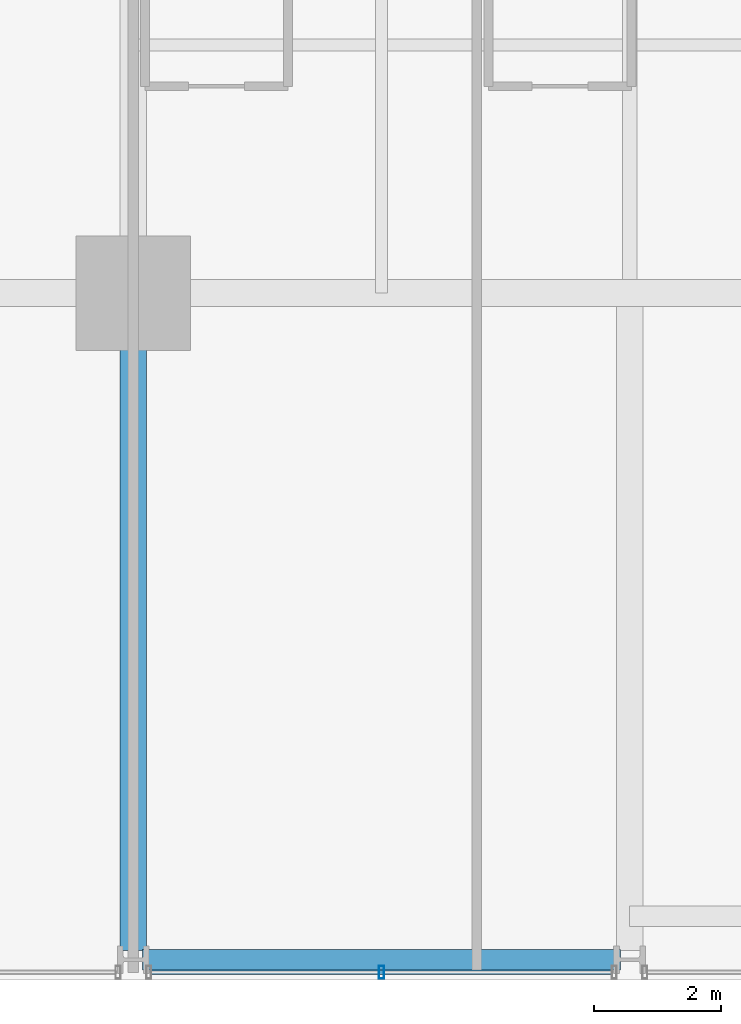
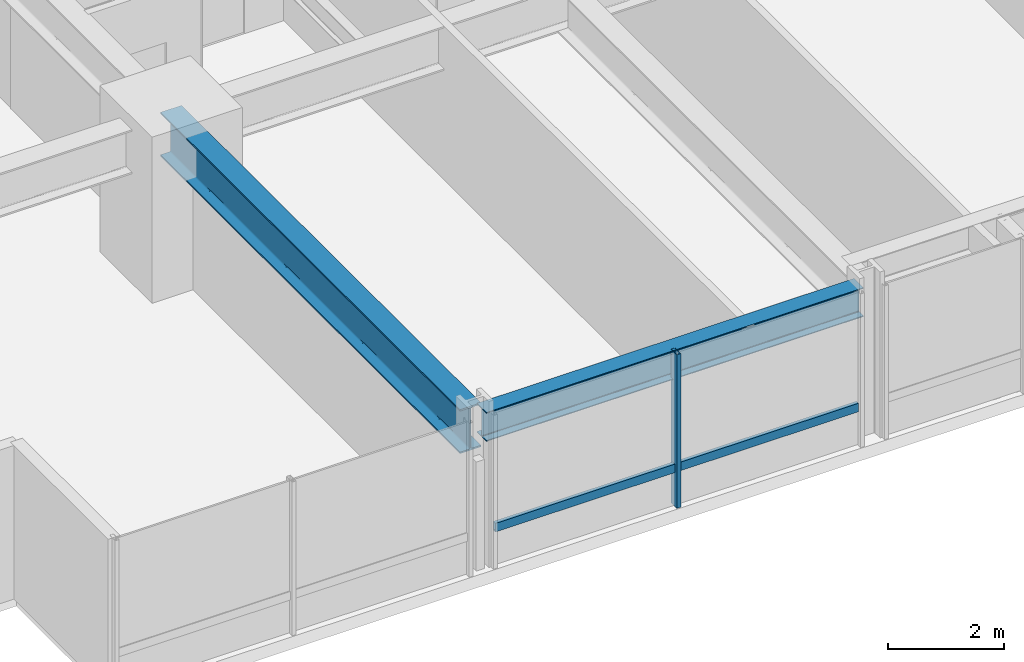
# One storey, part 3 of 39: 2 beams, 2 members, 1 element without a shape of its own.
"""IFC4 building model written with IfcOpenShell, lengths in metres."""

from ifc_helpers import new_model, si_unit, direction, frame, origin, origin_2d, place, context, subcontext, project, spatial, hollow_rectangle, i_section, extrude, material, layer, layer_set, material_profile, profile_set, type_object, element, aggregate, save


model = new_model("IFC4")

# Units and contexts
model_context = context("Model", 3, precision=1e-05, world=origin(), true_north=direction((0.0, 1.0)))
body_context = subcontext(model_context, "Body", "Model", "MODEL_VIEW")
ifc_project = project(units=[si_unit("LENGTHUNIT", "METRE"), si_unit("AREAUNIT", "SQUARE_METRE"), si_unit("VOLUMEUNIT", "CUBIC_METRE"), si_unit("PLANEANGLEUNIT", "RADIAN"), si_unit("MASSUNIT", "GRAM", prefix="KILO")], contexts=[model_context])

# Site, building, storey
site_placement = place(None, origin())
site = spatial("IfcSite", under=ifc_project, at=site_placement, CompositionType="ELEMENT")
building_placement = place(site_placement, origin())
building = spatial("IfcBuilding", under=site, at=building_placement, Name="Drelvath Grand Hotel", CompositionType="ELEMENT")
storey_placement = place(building_placement, frame((0.0, 0.0, 36.699951171875)))
storey = spatial("IfcBuildingStorey", under=building, at=storey_placement, Name="L07", CompositionType="ELEMENT", Elevation=36.699951171875)

# Curtain wall, members
ifc_material_1 = material(Name="Warm Bronze Anodised Aluminium Frame", Category="aluminium")
ifc_layer = layer(ifc_material_1, 0.199951171875)
ifc_layer_set = layer_set([ifc_layer], Name="Warm Bronze Anodised Aluminium Frame")
curtain_wall_type = type_object("IfcCurtainWallType", Name="Stick Curtain Wall CW-02 Warm Bronze Low-Rise", PredefinedType="NOTDEFINED", material=ifc_layer_set)
curtain_wall_placement = place(storey_placement, origin())
curtain_wall = element("IfcCurtainWall", 1, at=curtain_wall_placement, inside=storey, type_object=curtain_wall_type, Name="L07 CW-02 Curtain Wall CW02-L07-SW2", PredefinedType="NOTDEFINED")
ifc_material_profile_1 = material_profile(ifc_material_1, hollow_rectangle(XDim=0.074951171875, YDim=0.179931640625, WallThickness=0.0048828125, at=origin_2d()), Name="HSS180X75X5")
ifc_profile_set_1 = profile_set([ifc_material_profile_1], Name="Warm Bronze Anodised Aluminium Frame")
member_type_1 = type_object("IfcMemberType", Name="Curtain Wall Horizontal Transom CW-02 HSS180X75X5", PredefinedType="USERDEFINED", material=ifc_profile_set_1)
member_1_placement = place(storey_placement, frame((-8.680908203125, 0.1201171875, 0.81005859375), z_axis=(-1.0, 0.0, 0.0), x_axis=(0.0, -1.0, 0.0)))
member_1 = element("IfcMember", 2, at=member_1_placement, type_object=member_type_1, Name="CW02-L07-SW2 Sill Transom", ObjectType="TRANSOM", PredefinedType="USERDEFINED", context=body_context, shape_type="SweptSolid", body=[
    extrude(hollow_rectangle(XDim=0.074951171875, YDim=0.179931640625, WallThickness=0.0048828125, at=origin_2d()), origin(), (0.0, 0.0, 1.0), 7.23828125),
])
ifc_material_profile_2 = material_profile(ifc_material_1, hollow_rectangle(XDim=0.080078125, YDim=0.199951171875, WallThickness=0.0048828125, at=origin_2d()), Name="HSS200X80X5")
ifc_profile_set_2 = profile_set([ifc_material_profile_2], Name="Warm Bronze Anodised Aluminium Frame")
member_type_2 = type_object("IfcMemberType", Name="Curtain Wall Vertical Mullion CW-02 HSS200X80X5", PredefinedType="MULLION", material=ifc_profile_set_2)
member_2_placement = place(storey_placement, frame((-12.300048828125, 0.1201171875, 0.0), z_axis=(0.0, 0.0, 1.0), x_axis=(1.0, 0.0, 0.0)))
member_2 = element("IfcMember", 3, at=member_2_placement, type_object=member_type_2, Name="CW02-L07-SW2 Mullion 2", PredefinedType="MULLION", context=body_context, shape_type="SweptSolid", body=[
    extrude(hollow_rectangle(XDim=0.080078125, YDim=0.199951171875, WallThickness=0.0048828125, at=origin_2d()), origin(), (0.0, 0.0, 1.0), 3.239990234375),
])
aggregate(curtain_wall, [member_2, member_1])

# Beams
ifc_material_2 = material(Name="Steel ASTM A992 Gr 50", Category="steel")
ifc_material_profile_3 = material_profile(ifc_material_2, i_section(OverallWidth=0.323974609375, OverallDepth=0.611083984375, WebThickness=0.0126953125, FlangeThickness=0.01904296875, FilletRadius=0.02197265625, at=origin_2d()), Name="W24X104")
ifc_profile_set_3 = profile_set([ifc_material_profile_3], Name="Steel ASTM A992 Gr 50")
beam_type_1 = type_object("IfcBeamType", Name="Perimeter Spandrel Beam W24X104", PredefinedType="SPANDREL", material=ifc_profile_set_3)
beam_1_placement = place(storey_placement, frame((-16.06005859375, 0.320068359375, 2.9345703125), z_axis=(1.0, 0.0, 0.0), x_axis=(0.0, 1.0, 0.0)))
element("IfcBeam", 4, at=beam_1_placement, inside=storey, type_object=beam_type_1, Name="L07 Spandrel South W", PredefinedType="SPANDREL", context=body_context, shape_type="SweptSolid", body=[
    extrude(i_section(OverallWidth=0.323974609375, OverallDepth=0.611083984375, WebThickness=0.0126953125, FlangeThickness=0.01904296875, FilletRadius=0.02197265625, at=origin_2d()), origin(), (0.0, 0.0, 1.0), 7.52001953125),
])
ifc_material_profile_4 = material_profile(ifc_material_2, i_section(OverallWidth=0.418212890625, OverallDepth=0.926513671875, WebThickness=0.019287109375, FlangeThickness=0.031982421875, FilletRadius=0.028076171875, at=origin_2d()), Name="W36X231")
ifc_profile_set_4 = profile_set([ifc_material_profile_4], Name="Steel ASTM A992 Gr 50")
beam_type_2 = type_object("IfcBeamType", Name="Primary Floor Girder W36X231", PredefinedType="BEAM", material=ifc_profile_set_4)
beam_2_placement = place(storey_placement, frame((-16.199951171875, 0.4599609375, 2.77685546875), z_axis=(0.0, 1.0, 0.0), x_axis=(-1.0, 0.0, 0.0)))
element("IfcBeam", 5, at=beam_2_placement, inside=storey, type_object=beam_type_2, Name="L07 South Grid Girder 3", PredefinedType="BEAM", context=body_context, shape_type="SweptSolid", body=[
    extrude(i_section(OverallWidth=0.418212890625, OverallDepth=0.926513671875, WebThickness=0.019287109375, FlangeThickness=0.031982421875, FilletRadius=0.028076171875, at=origin_2d()), origin(), (0.0, 0.0, 1.0), 10.340087890625),
])

save(model, "model.ifc")
